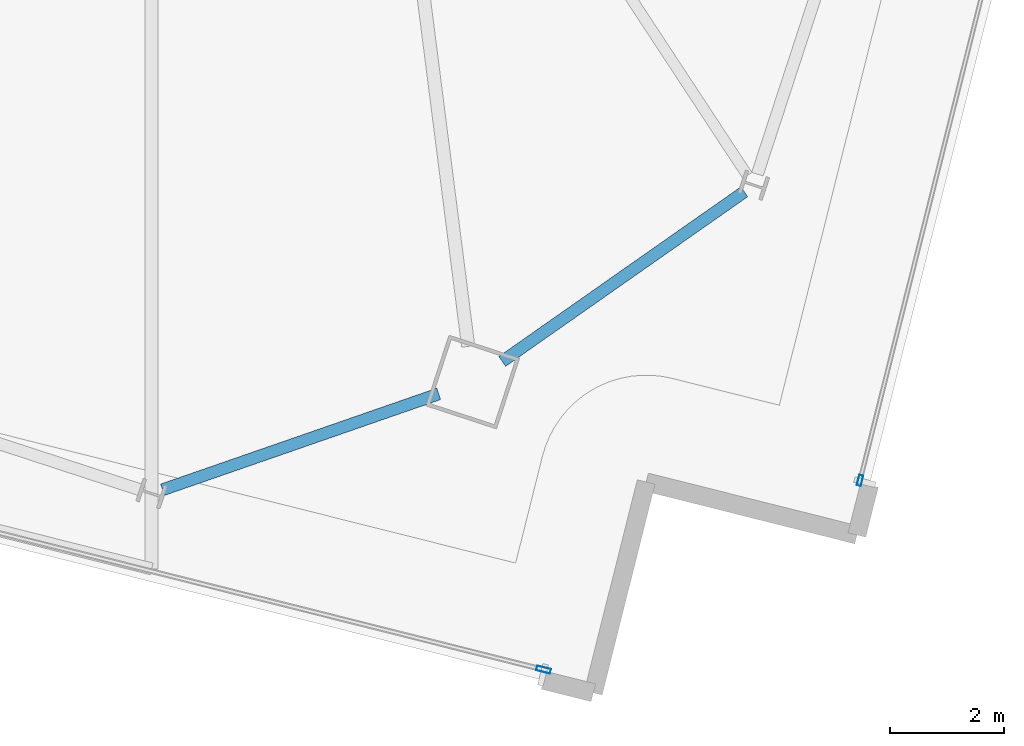
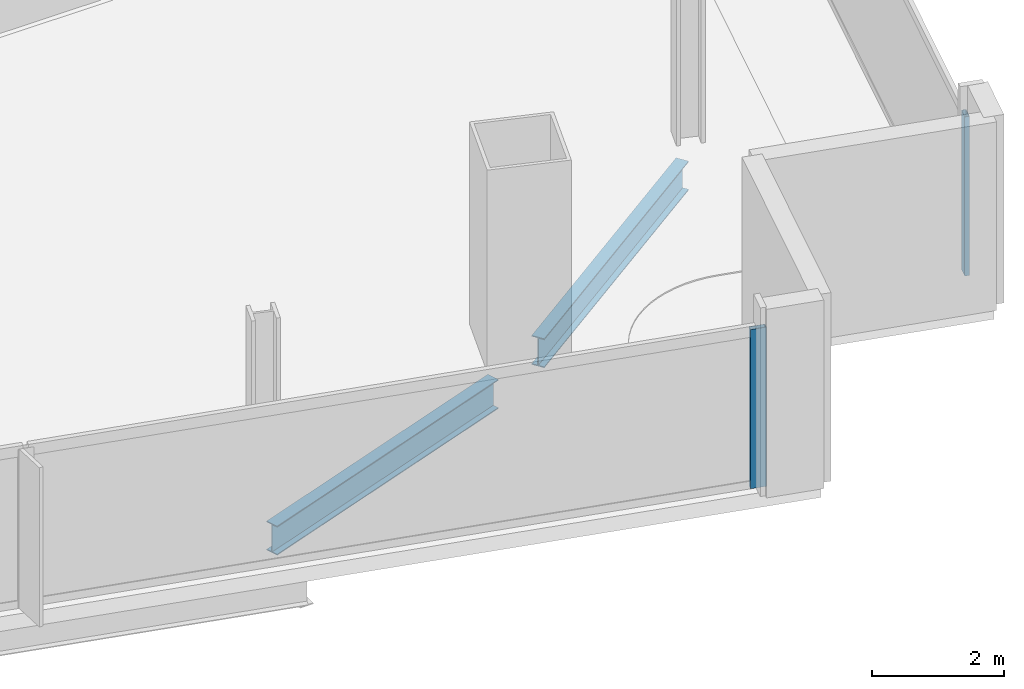
# One storey, part 8 of 28: 2 beams, 2 members, 2 elements without a shape of their own.
"""IFC4 building model written with IfcOpenShell, lengths in metres."""

from ifc_helpers import new_model, si_unit, direction, frame, origin, origin_2d, place, context, subcontext, project, spatial, hollow_rectangle, i_section, extrude, material, material_profile, profile_set, type_object, element, aggregate, save


model = new_model("IFC4")

# Units and contexts
model_context = context("Model", 3, precision=1e-05, world=origin(), true_north=direction((0.0, 1.0)))
body_context = subcontext(model_context, "Body", "Model", "MODEL_VIEW")
ifc_project = project(units=[si_unit("LENGTHUNIT", "METRE"), si_unit("AREAUNIT", "SQUARE_METRE"), si_unit("VOLUMEUNIT", "CUBIC_METRE"), si_unit("PLANEANGLEUNIT", "RADIAN"), si_unit("MASSUNIT", "GRAM", prefix="KILO")], contexts=[model_context])

# Site, building, storey
site_placement = place(None, origin())
site = spatial("IfcSite", under=ifc_project, at=site_placement, CompositionType="ELEMENT")
building_placement = place(site_placement, origin())
building = spatial("IfcBuilding", under=site, at=building_placement, Name="Haldenkirk Collegiate Tower", CompositionType="ELEMENT")
storey_placement = place(building_placement, frame((0.0, 0.0, 282.449951171875)))
storey = spatial("IfcBuildingStorey", under=building, at=storey_placement, Name="L71", CompositionType="ELEMENT", Elevation=282.449951171875)

# Beams
ifc_material_1 = material(Name="Steel ASTM A992 Grade 50", Category="steel")
ifc_material_profile_1 = material_profile(ifc_material_1, i_section(OverallWidth=0.2099609375, OverallDepth=0.537109375, WebThickness=0.010986328125, FlangeThickness=0.017333984375, at=origin_2d()), Name="W21X68")
ifc_profile_set_1 = profile_set([ifc_material_profile_1], Name="Steel ASTM A992 Grade 50")
beam_type = type_object("IfcBeamType", Name="BM-SPANDREL-W21X68", PredefinedType="SPANDREL", material=ifc_profile_set_1)
beam_1_placement = place(storey_placement, frame((47.243896484375, 4.805908203125, -0.538330078125), z_axis=(0.818943373955, 0.573874333156, 0.0), x_axis=(-0.573874333156, 0.818943373955, 0.0)))
element("IfcBeam", 1, at=beam_1_placement, inside=storey, type_object=beam_type, Name="L71 perimeter spandrel beam 01", PredefinedType="SPANDREL", context=body_context, shape_type="SweptSolid", body=[
    extrude(i_section(OverallWidth=0.2099609375, OverallDepth=0.537109375, WebThickness=0.010986328125, FlangeThickness=0.017333984375, at=origin_2d()), origin(), (0.0, 0.0, 1.0), 5.16943359375),
])
beam_2_placement = place(storey_placement, frame((41.302490234375, 2.56103515625, -0.538330078125), z_axis=(0.944700169719, 0.327935343221, 0.0), x_axis=(-0.327935343221, 0.944700169719, 0.0)))
element("IfcBeam", 2, at=beam_2_placement, inside=storey, type_object=beam_type, Name="L71 perimeter spandrel beam 16", PredefinedType="SPANDREL", context=body_context, shape_type="SweptSolid", body=[
    extrude(i_section(OverallWidth=0.2099609375, OverallDepth=0.537109375, WebThickness=0.010986328125, FlangeThickness=0.017333984375, at=origin_2d()), origin(), (0.0, 0.0, 1.0), 5.113037109375),
])

# Curtain wall, member
ifc_material_2 = material(Name="Anodised architectural bronze aluminium", Category="aluminium")
curtain_wall_type_1 = type_object("IfcCurtainWallType", Name="CW-SYS2-CONCAVE", PredefinedType="USERDEFINED", material=ifc_material_2)
curtain_wall_1_placement = place(storey_placement, origin())
curtain_wall_1 = element("IfcCurtainWall", 3, at=curtain_wall_1_placement, inside=storey, type_object=curtain_wall_type_1, Name="L71 South concave recessed bronze-anodised curtain wall", ObjectType="UNITISED CURTAIN WALL", PredefinedType="USERDEFINED")
ifc_material_profile_2 = material_profile(ifc_material_2, hollow_rectangle(XDim=0.074951171875, YDim=0.18994140625, WallThickness=0.0048828125, at=origin_2d()), Name="CW-MUL-02")
ifc_profile_set_2 = profile_set([ifc_material_profile_2], Name="Anodised architectural bronze aluminium")
member_type_1 = type_object("IfcMemberType", Name="CW-MUL-02", PredefinedType="MULLION", material=ifc_profile_set_2)
member_1_placement = place(storey_placement, frame((53.50146484375, 2.72265625, 0.0), z_axis=(0.0, 0.0, 1.0), x_axis=(0.96987230545, -0.243613856588, 0.0)))
member_1 = element("IfcMember", 4, at=member_1_placement, type_object=member_type_1, Name="CW-02 mullion 4", PredefinedType="MULLION", context=body_context, shape_type="SweptSolid", body=[
    extrude(hollow_rectangle(XDim=0.074951171875, YDim=0.18994140625, WallThickness=0.0048828125, at=origin_2d()), origin(), (0.0, 0.0, 1.0), 2.93798828125),
])
aggregate(curtain_wall_1, [member_1])

curtain_wall_type_2 = type_object("IfcCurtainWallType", Name="CW-SYS1B-CONVEX-HI", PredefinedType="USERDEFINED", material=ifc_material_2)
curtain_wall_2_placement = place(storey_placement, origin())
curtain_wall_2 = element("IfcCurtainWall", 5, at=curtain_wall_2_placement, inside=storey, type_object=curtain_wall_type_2, Name="L71 Upper tower high-wind convex bronze unitised curtain wall", ObjectType="UNITISED CURTAIN WALL", PredefinedType="USERDEFINED")
ifc_material_profile_3 = material_profile(ifc_material_2, hollow_rectangle(XDim=0.0849609375, YDim=0.25, WallThickness=0.0048828125, at=origin_2d()), Name="CW-MUL-1B")
ifc_profile_set_3 = profile_set([ifc_material_profile_3], Name="Anodised architectural bronze aluminium")
member_type_2 = type_object("IfcMemberType", Name="CW-MUL-1B", PredefinedType="MULLION", material=ifc_profile_set_3)
member_2_placement = place(storey_placement, frame((47.96630859375, -0.5859375, 0.0), z_axis=(0.0, 0.0, 1.0), x_axis=(-0.24361101081, -0.969873020252, 0.0)))
member_2 = element("IfcMember", 6, at=member_2_placement, type_object=member_type_2, Name="CW-1B mullion 1", PredefinedType="MULLION", context=body_context, shape_type="SweptSolid", body=[
    extrude(hollow_rectangle(XDim=0.0849609375, YDim=0.25, WallThickness=0.0048828125, at=origin_2d()), origin(), (0.0, 0.0, 1.0), 2.93798828125),
])
aggregate(curtain_wall_2, [member_2])

save(model, "model.ifc")
